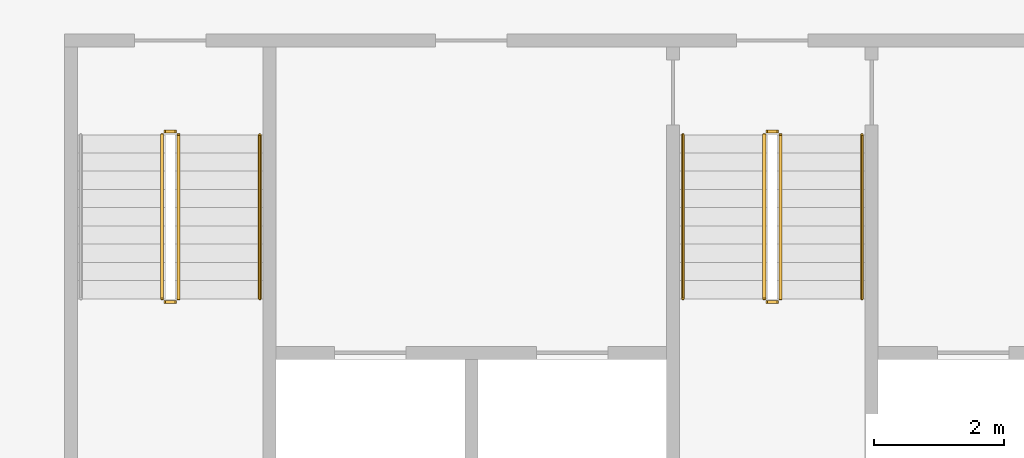
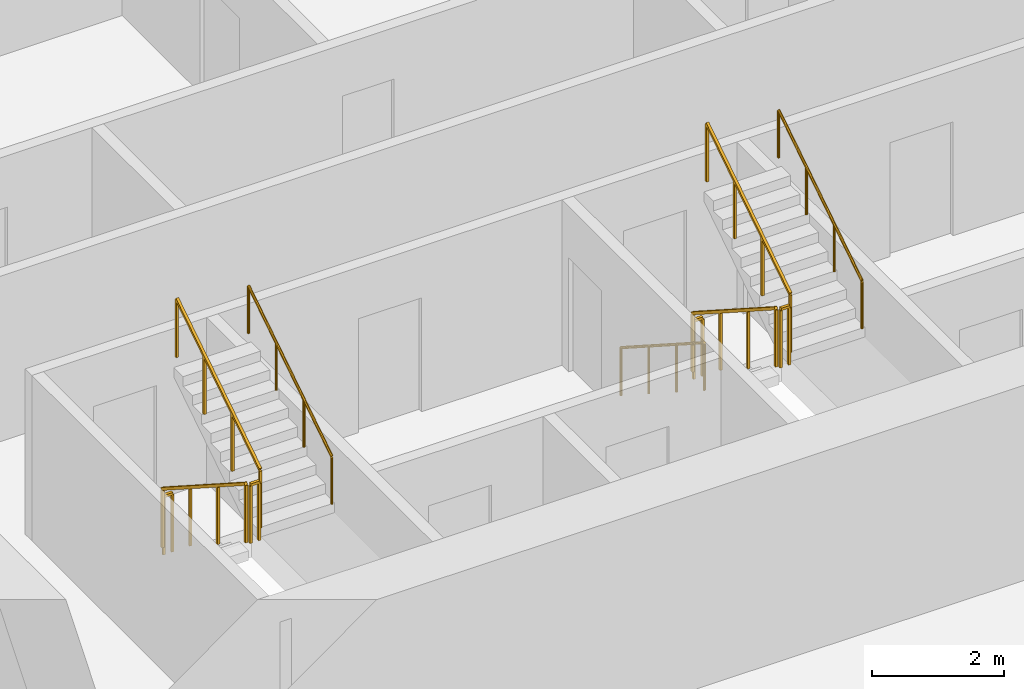
# One storey, part 14 of 16: 11 railings.
"""IFC4 building model written with IfcOpenShell, lengths in metres."""

from ifc_helpers import new_model, si_unit, direction, frame, origin, origin_2d, place, context, subcontext, project, spatial, rectangle, circle, extrude, material, type_object, element, save


model = new_model("IFC4")

# Units and contexts
model_context = context("Model", 3, precision=1e-05, world=origin(), true_north=direction((0.0, 1.0)))
body_context = subcontext(model_context, "Body", "Model", "MODEL_VIEW")
ifc_project = project(units=[si_unit("LENGTHUNIT", "METRE"), si_unit("AREAUNIT", "SQUARE_METRE"), si_unit("VOLUMEUNIT", "CUBIC_METRE"), si_unit("PLANEANGLEUNIT", "RADIAN"), si_unit("MASSUNIT", "GRAM", prefix="KILO")], contexts=[model_context])

# Site, building, storey
site_placement = place(None, origin())
site = spatial("IfcSite", under=ifc_project, at=site_placement, CompositionType="ELEMENT")
building_placement = place(site_placement, origin())
building = spatial("IfcBuilding", under=site, at=building_placement, Name="Mangrove Gate Tower", CompositionType="ELEMENT")
storey_placement = place(building_placement, frame((0.0, 0.0, 144.5)))
storey = spatial("IfcBuildingStorey", under=building, at=storey_placement, Name="L36", CompositionType="ELEMENT", Elevation=144.5)

# Railings
ifc_material_1 = material(Name="Stainless steel 316", Category="steel")
railing_type_1 = type_object("IfcRailingType", Name="Core stair guard 1100", PredefinedType="GUARDRAIL", material=ifc_material_1)
railing_1_placement = place(storey_placement, frame((-9.39990234375, -4.64990234375, 0.179931640625)))
element("IfcRailing", 1, at=railing_1_placement, inside=storey, type_object=railing_type_1, Name="L36 ST1 stair guard 1", PredefinedType="GUARDRAIL", context=body_context, shape_type="SweptSolid", body=[
    extrude(rectangle(XDim=0.048095703125, YDim=0.048095703125, at=origin_2d()), frame((0.0, 0.0, 1.076171875), z_axis=(0.0, -0.841162588446, 0.540782303519), x_axis=(1.0, 0.0, 0.0)), (0.0, 0.0, 1.0), 2.995849609375),
    extrude(rectangle(XDim=0.0419921875, YDim=0.0419921875, at=origin_2d()), origin(), (0.0, 0.0, 1.0), 1.052001953125),
    extrude(rectangle(XDim=0.0419921875, YDim=0.0419921875, at=origin_2d()), frame((0.0, -0.840087890625, 0.5400390625)), (0.0, 0.0, 1.0), 1.052001953125),
    extrude(rectangle(XDim=0.0419921875, YDim=0.0419921875, at=origin_2d()), frame((0.0, -1.679931640625, 1.080078125)), (0.0, 0.0, 1.0), 1.052001953125),
    extrude(rectangle(XDim=0.0419921875, YDim=0.0419921875, at=origin_2d()), frame((0.0, -2.52001953125, 1.6201171875)), (0.0, 0.0, 1.0), 1.052001953125),
])
railing_2_placement = place(storey_placement, frame((-9.35009765625, -7.219970703125, 1.800048828125)))
element("IfcRailing", 2, at=railing_2_placement, inside=storey, type_object=railing_type_1, Name="L36 ST1 stair guard 2", PredefinedType="GUARDRAIL", context=body_context, shape_type="SweptSolid", body=[
    extrude(rectangle(XDim=0.048095703125, YDim=0.048095703125, at=origin_2d()), frame((0.0, 0.0, 1.076171875), z_axis=(1.0, 0.0, 0.0), x_axis=(0.0, 1.0, 0.0)), (0.0, 0.0, 1.0), 0.150146484375),
    extrude(rectangle(XDim=0.0419921875, YDim=0.0419921875, at=origin_2d()), origin(), (0.0, 0.0, 1.0), 1.052001953125),
    extrude(rectangle(XDim=0.0419921875, YDim=0.0419921875, at=origin_2d()), frame((0.150146484375, 0.0, 0.0)), (0.0, 0.0, 1.0), 1.052001953125),
])
railing_3_placement = place(storey_placement, frame((-9.14990234375, -7.169921875, 1.97998046875)))
element("IfcRailing", 3, at=railing_3_placement, inside=storey, type_object=railing_type_1, Name="L36 ST1 stair guard 3", PredefinedType="GUARDRAIL", context=body_context, shape_type="SweptSolid", body=[
    extrude(rectangle(XDim=0.048095703125, YDim=0.048095703125, at=origin_2d()), frame((0.0, 0.0, 1.076171875), z_axis=(0.0, 0.841162588446, 0.540782303519), x_axis=(-1.0, 0.0, 0.0)), (0.0, 0.0, 1.0), 2.995849609375),
    extrude(rectangle(XDim=0.0419921875, YDim=0.0419921875, at=origin_2d()), origin(), (0.0, 0.0, 1.0), 1.052001953125),
    extrude(rectangle(XDim=0.0419921875, YDim=0.0419921875, at=origin_2d()), frame((0.0, 0.840087890625, 0.5400390625)), (0.0, 0.0, 1.0), 1.052001953125),
    extrude(rectangle(XDim=0.0419921875, YDim=0.0419921875, at=origin_2d()), frame((0.0, 1.679931640625, 1.080078125)), (0.0, 0.0, 1.0), 1.052001953125),
    extrude(rectangle(XDim=0.0419921875, YDim=0.0419921875, at=origin_2d()), frame((0.0, 2.52001953125, 1.6201171875)), (0.0, 0.0, 1.0), 1.052001953125),
])
railing_4_placement = place(storey_placement, frame((-9.35009765625, -4.60009765625, 0.0)))
element("IfcRailing", 4, at=railing_4_placement, inside=storey, type_object=railing_type_1, Name="L36 ST1 stair guard 4", PredefinedType="GUARDRAIL", context=body_context, shape_type="SweptSolid", body=[
    extrude(rectangle(XDim=0.048095703125, YDim=0.048095703125, at=origin_2d()), frame((0.0, 0.0, 1.076171875), z_axis=(1.0, 0.0, 0.0), x_axis=(0.0, 1.0, 0.0)), (0.0, 0.0, 1.0), 0.150146484375),
    extrude(rectangle(XDim=0.0419921875, YDim=0.0419921875, at=origin_2d()), origin(), (0.0, 0.0, 1.0), 1.052001953125),
    extrude(rectangle(XDim=0.0419921875, YDim=0.0419921875, at=origin_2d()), frame((0.150146484375, 0.0, 0.0)), (0.0, 0.0, 1.0), 1.052001953125),
])
railing_5_placement = place(storey_placement, frame((-0.14990234375, -4.64990234375, 0.179931640625)))
element("IfcRailing", 5, at=railing_5_placement, inside=storey, type_object=railing_type_1, Name="L36 ST2 stair guard 1", PredefinedType="GUARDRAIL", context=body_context, shape_type="SweptSolid", body=[
    extrude(rectangle(XDim=0.048095703125, YDim=0.048095703125, at=origin_2d()), frame((0.0, 0.0, 1.076171875), z_axis=(0.0, -0.841162588446, 0.540782303519), x_axis=(1.0, 0.0, 0.0)), (0.0, 0.0, 1.0), 2.995849609375),
    extrude(rectangle(XDim=0.0419921875, YDim=0.0419921875, at=origin_2d()), origin(), (0.0, 0.0, 1.0), 1.052001953125),
    extrude(rectangle(XDim=0.0419921875, YDim=0.0419921875, at=origin_2d()), frame((0.0, -0.840087890625, 0.5400390625)), (0.0, 0.0, 1.0), 1.052001953125),
    extrude(rectangle(XDim=0.0419921875, YDim=0.0419921875, at=origin_2d()), frame((0.0, -1.679931640625, 1.080078125)), (0.0, 0.0, 1.0), 1.052001953125),
    extrude(rectangle(XDim=0.0419921875, YDim=0.0419921875, at=origin_2d()), frame((0.0, -2.52001953125, 1.6201171875)), (0.0, 0.0, 1.0), 1.052001953125),
])
railing_6_placement = place(storey_placement, frame((-0.10009765625, -7.219970703125, 1.800048828125)))
element("IfcRailing", 6, at=railing_6_placement, inside=storey, type_object=railing_type_1, Name="L36 ST2 stair guard 2", PredefinedType="GUARDRAIL", context=body_context, shape_type="SweptSolid", body=[
    extrude(rectangle(XDim=0.048095703125, YDim=0.048095703125, at=origin_2d()), frame((0.0, 0.0, 1.076171875), z_axis=(1.0, 0.0, 0.0), x_axis=(0.0, 1.0, 0.0)), (0.0, 0.0, 1.0), 0.150146484375),
    extrude(rectangle(XDim=0.0419921875, YDim=0.0419921875, at=origin_2d()), origin(), (0.0, 0.0, 1.0), 1.052001953125),
    extrude(rectangle(XDim=0.0419921875, YDim=0.0419921875, at=origin_2d()), frame((0.150146484375, 0.0, 0.0)), (0.0, 0.0, 1.0), 1.052001953125),
])
railing_7_placement = place(storey_placement, frame((0.10009765625, -7.169921875, 1.97998046875)))
element("IfcRailing", 7, at=railing_7_placement, inside=storey, type_object=railing_type_1, Name="L36 ST2 stair guard 3", PredefinedType="GUARDRAIL", context=body_context, shape_type="SweptSolid", body=[
    extrude(rectangle(XDim=0.048095703125, YDim=0.048095703125, at=origin_2d()), frame((0.0, 0.0, 1.076171875), z_axis=(0.0, 0.841162588446, 0.540782303519), x_axis=(-1.0, 0.0, 0.0)), (0.0, 0.0, 1.0), 2.995849609375),
    extrude(rectangle(XDim=0.0419921875, YDim=0.0419921875, at=origin_2d()), origin(), (0.0, 0.0, 1.0), 1.052001953125),
    extrude(rectangle(XDim=0.0419921875, YDim=0.0419921875, at=origin_2d()), frame((0.0, 0.840087890625, 0.5400390625)), (0.0, 0.0, 1.0), 1.052001953125),
    extrude(rectangle(XDim=0.0419921875, YDim=0.0419921875, at=origin_2d()), frame((0.0, 1.679931640625, 1.080078125)), (0.0, 0.0, 1.0), 1.052001953125),
    extrude(rectangle(XDim=0.0419921875, YDim=0.0419921875, at=origin_2d()), frame((0.0, 2.52001953125, 1.6201171875)), (0.0, 0.0, 1.0), 1.052001953125),
])
railing_8_placement = place(storey_placement, frame((-0.10009765625, -4.60009765625, 0.0)))
element("IfcRailing", 8, at=railing_8_placement, inside=storey, type_object=railing_type_1, Name="L36 ST2 stair guard 4", PredefinedType="GUARDRAIL", context=body_context, shape_type="SweptSolid", body=[
    extrude(rectangle(XDim=0.048095703125, YDim=0.048095703125, at=origin_2d()), frame((0.0, 0.0, 1.076171875), z_axis=(1.0, 0.0, 0.0), x_axis=(0.0, 1.0, 0.0)), (0.0, 0.0, 1.0), 0.150146484375),
    extrude(rectangle(XDim=0.0419921875, YDim=0.0419921875, at=origin_2d()), origin(), (0.0, 0.0, 1.0), 1.052001953125),
    extrude(rectangle(XDim=0.0419921875, YDim=0.0419921875, at=origin_2d()), frame((0.150146484375, 0.0, 0.0)), (0.0, 0.0, 1.0), 1.052001953125),
])
ifc_material_2 = material(Name="Stainless steel 316", Category="steel")
railing_type_2 = type_object("IfcRailingType", Name="Core stair handrail 900", PredefinedType="HANDRAIL", material=ifc_material_2)
railing_9_placement = place(storey_placement, frame((-7.89990234375, -7.169921875, 1.97998046875)))
element("IfcRailing", 9, at=railing_9_placement, inside=storey, type_object=railing_type_2, Name="L36 ST1 stair handrail 2", PredefinedType="HANDRAIL", context=body_context, shape_type="SweptSolid", body=[
    extrude(circle(Radius=0.02392578125, at=origin_2d()), frame((0.0, 0.0, 0.8759765625), z_axis=(0.0, 0.841162588446, 0.540782303519), x_axis=(-1.0, 0.0, 0.0)), (0.0, 0.0, 1.0), 2.995849609375),
    extrude(circle(Radius=0.02099609375, at=origin_2d()), origin(), (0.0, 0.0, 1.0), 0.851806640625),
    extrude(circle(Radius=0.02099609375, at=origin_2d()), frame((0.0, 0.840087890625, 0.5400390625)), (0.0, 0.0, 1.0), 0.851806640625),
    extrude(circle(Radius=0.02099609375, at=origin_2d()), frame((0.0, 1.679931640625, 1.080078125)), (0.0, 0.0, 1.0), 0.851806640625),
    extrude(circle(Radius=0.02099609375, at=origin_2d()), frame((0.0, 2.52001953125, 1.6201171875)), (0.0, 0.0, 1.0), 0.851806640625),
])
railing_10_placement = place(storey_placement, frame((-1.39990234375, -4.64990234375, 0.179931640625)))
element("IfcRailing", 10, at=railing_10_placement, inside=storey, type_object=railing_type_2, Name="L36 ST2 stair handrail 1", PredefinedType="HANDRAIL", context=body_context, shape_type="SweptSolid", body=[
    extrude(circle(Radius=0.02392578125, at=origin_2d()), frame((0.0, 0.0, 0.8759765625), z_axis=(0.0, -0.841162588446, 0.540782303519), x_axis=(1.0, 0.0, 0.0)), (0.0, 0.0, 1.0), 2.995849609375),
    extrude(circle(Radius=0.02099609375, at=origin_2d()), origin(), (0.0, 0.0, 1.0), 0.851806640625),
    extrude(circle(Radius=0.02099609375, at=origin_2d()), frame((0.0, -0.840087890625, 0.5400390625)), (0.0, 0.0, 1.0), 0.851806640625),
    extrude(circle(Radius=0.02099609375, at=origin_2d()), frame((0.0, -1.679931640625, 1.080078125)), (0.0, 0.0, 1.0), 0.851806640625),
    extrude(circle(Radius=0.02099609375, at=origin_2d()), frame((0.0, -2.52001953125, 1.6201171875)), (0.0, 0.0, 1.0), 0.851806640625),
])
railing_11_placement = place(storey_placement, frame((1.35009765625, -7.169921875, 1.97998046875)))
element("IfcRailing", 11, at=railing_11_placement, inside=storey, type_object=railing_type_2, Name="L36 ST2 stair handrail 2", PredefinedType="HANDRAIL", context=body_context, shape_type="SweptSolid", body=[
    extrude(circle(Radius=0.02392578125, at=origin_2d()), frame((0.0, 0.0, 0.8759765625), z_axis=(0.0, 0.841162588446, 0.540782303519), x_axis=(-1.0, 0.0, 0.0)), (0.0, 0.0, 1.0), 2.995849609375),
    extrude(circle(Radius=0.02099609375, at=origin_2d()), origin(), (0.0, 0.0, 1.0), 0.851806640625),
    extrude(circle(Radius=0.02099609375, at=origin_2d()), frame((0.0, 0.840087890625, 0.5400390625)), (0.0, 0.0, 1.0), 0.851806640625),
    extrude(circle(Radius=0.02099609375, at=origin_2d()), frame((0.0, 1.679931640625, 1.080078125)), (0.0, 0.0, 1.0), 0.851806640625),
    extrude(circle(Radius=0.02099609375, at=origin_2d()), frame((0.0, 2.52001953125, 1.6201171875)), (0.0, 0.0, 1.0), 0.851806640625),
])

save(model, "model.ifc")
